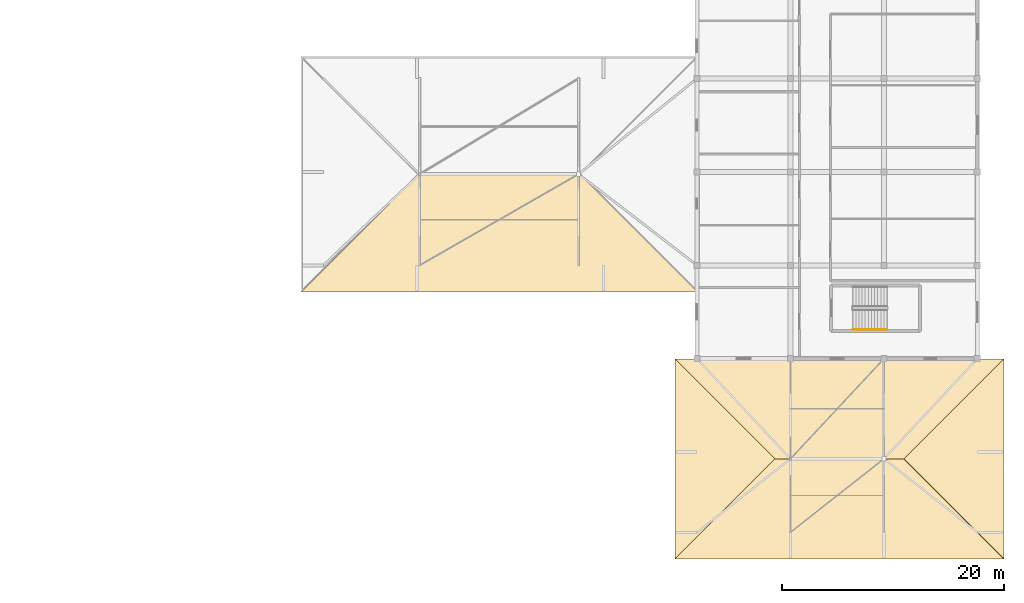
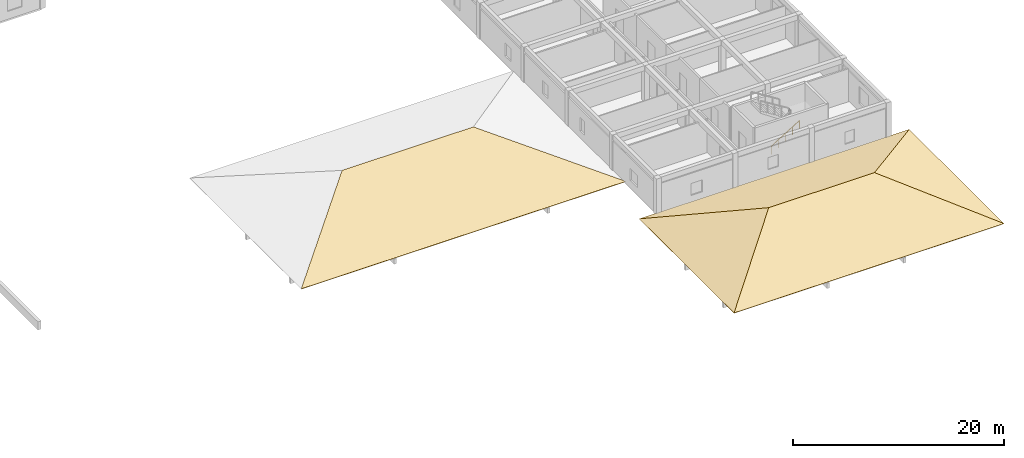
# One storey, part 37 of 42: 5 coverings, 1 railing, 2 elements without a shape of their own.
"""IFC4 building model written with IfcOpenShell, lengths in metres."""

import ifcopenshell
import ifcopenshell.guid

model = None  # the IFC model being written
_history = None  # IfcOwnerHistory: only IFC2X3 demands one
_inside = {}  # id of a spatial element -> (the spatial element, [elements in it])
_under = {}  # id of a project, library or spatial element -> (it, [spatial elements below it])
_declared = {}  # id of a project -> (the project, [libraries it declares])
_typed = {}  # id of a type object -> (the type object, [elements of that type])
_made_of = {}  # id of a material, layer set ... -> (it, [elements and type objects made of it])


def new_model(schema):
    """Start an empty IFC model of exactly this schema.

    Asked for "IFC4X3", IfcOpenShell would pick the latest addendum, in which some entities
    have other attributes; the version numbers below select the first issue.
    IFC2X3 requires an IfcOwnerHistory on every rooted entity: one is made here for all.
    """
    global model, _history
    if schema == "IFC4X3":
        model = ifcopenshell.file(schema_version=(4, 3, 0, 0))
    else:
        model = ifcopenshell.file(schema=schema)
    _inside.clear()
    _under.clear()
    _declared.clear()
    _typed.clear()
    _made_of.clear()
    _history = None
    if model.schema == "IFC2X3":
        org = make("IfcOrganization", Name="unknown")
        user = make(
            "IfcPersonAndOrganization",
            ThePerson=make("IfcPerson", FamilyName="unknown"),
            TheOrganization=org,
        )
        app = make(
            "IfcApplication",
            ApplicationDeveloper=org,
            Version="unknown",
            ApplicationFullName="unknown",
            ApplicationIdentifier="unknown",
        )
        _history = make(
            "IfcOwnerHistory",
            OwningUser=user,
            OwningApplication=app,
            ChangeAction="ADDED",
            CreationDate=0,
        )
    return model


def make(cls, **values):
    """One entity of the class cls with the attributes given. An attribute that is None is left unset."""
    return model.create_entity(
        cls, **{name: value for name, value in values.items() if value is not None}
    )


def rooted(cls, **values):
    """An entity with a GlobalId (a new one), such as an element, a storey or a relation."""
    return make(cls, GlobalId=ifcopenshell.guid.new(), OwnerHistory=_history, **values)


def si_unit(unit_type, name, prefix=None):
    """IfcSIUnit, for example si_unit("LENGTHUNIT", "METRE", prefix="MILLI")."""
    return make("IfcSIUnit", UnitType=unit_type, Prefix=prefix, Name=name)


def assignment(units):
    """IfcUnitAssignment: the units of a project."""
    return None if units is None else make("IfcUnitAssignment", Units=units)


def point(xyz):
    """IfcCartesianPoint."""
    return None if xyz is None else make("IfcCartesianPoint", Coordinates=xyz)


def direction(xyz):
    """IfcDirection."""
    return None if xyz is None else make("IfcDirection", DirectionRatios=xyz)


def frame(location, z_axis=None, x_axis=None):
    """IfcAxis2Placement3D, a coordinate frame: its origin and axes. An axis left out is left unset."""
    return make(
        "IfcAxis2Placement3D",
        Location=point(location),
        Axis=direction(z_axis),
        RefDirection=direction(x_axis),
    )


def frame_2d(location, x_axis=None):
    """IfcAxis2Placement2D, a coordinate frame in the plane: its origin and x axis."""
    return make(
        "IfcAxis2Placement2D", Location=point(location), RefDirection=direction(x_axis)
    )


def origin():
    """The frame at (0, 0, 0) with its axes left unset."""
    return frame((0.0, 0.0, 0.0))


def origin_2d():
    """The frame at (0, 0) in the plane with its x axis left unset."""
    return frame_2d((0.0, 0.0))


def place(relative_to, where):
    """IfcLocalPlacement: puts the frame where relative to a parent placement (None: the world)."""
    return make(
        "IfcLocalPlacement", PlacementRelTo=relative_to, RelativePlacement=where
    )


def context(
    kind, dimensions, precision=None, world=None, true_north=None, identifier=None
):
    """IfcGeometricRepresentationContext, for example the 3D "Model" context."""
    return make(
        "IfcGeometricRepresentationContext",
        ContextIdentifier=identifier,
        ContextType=kind,
        CoordinateSpaceDimension=dimensions,
        Precision=precision,
        WorldCoordinateSystem=world,
        TrueNorth=true_north,
    )


def subcontext(parent, identifier, kind, view, scale=None):
    """IfcGeometricRepresentationSubContext, for example "Body" below "Model"."""
    return make(
        "IfcGeometricRepresentationSubContext",
        ContextIdentifier=identifier,
        ContextType=kind,
        ParentContext=parent,
        TargetScale=scale,
        TargetView=view,
    )


def project(units=None, contexts=None):
    """IfcProject with its units and contexts."""
    return rooted(
        "IfcProject",
        Name="project",
        RepresentationContexts=contexts,
        UnitsInContext=assignment(units),
    )


def spatial(cls, under=None, at=None, **own):
    """A site, building, storey or space (cls), placed at a placement, below another one or the project."""
    s = rooted(cls, ObjectPlacement=at, **own)
    if under is not None:
        _under.setdefault(under.id(), (under, []))[1].append(s)
    return s


def polyline(points):
    """IfcPolyline through the points."""
    return make("IfcPolyline", Points=[point(p) for p in points])


def profile(cls, at=None, kind="AREA", **sizes):
    """A parametric profile (cls). Its sizes go by their IFC names, for example OverallWidth=200.0."""
    return make(cls, ProfileType=kind, Position=at, **sizes)


def circle(**sizes):
    """IfcCircleProfileDef."""
    return profile("IfcCircleProfileDef", **sizes)


def outline(outer, holes=None, kind="AREA"):
    """IfcArbitraryClosedProfileDef: a profile drawn as a closed curve; with holes, ...WithVoids."""
    if holes is None:
        return make("IfcArbitraryClosedProfileDef", ProfileType=kind, OuterCurve=outer)
    return make(
        "IfcArbitraryProfileDefWithVoids",
        ProfileType=kind,
        OuterCurve=outer,
        InnerCurves=holes,
    )


def extrude(swept, where, along, depth):
    """IfcExtrudedAreaSolid: the profile swept, set in the frame where, extruded along a direction by depth."""
    return make(
        "IfcExtrudedAreaSolid",
        SweptArea=swept,
        Position=where,
        ExtrudedDirection=direction(along),
        Depth=depth,
    )


def shape(context_of_items, identifier, shape_type, items):
    """IfcShapeRepresentation: the items that make up one representation, for example the "Body"."""
    return make(
        "IfcShapeRepresentation",
        ContextOfItems=context_of_items,
        RepresentationIdentifier=identifier,
        RepresentationType=shape_type,
        Items=items,
    )


def material(Name=None, Category=None):
    """IfcMaterial."""
    return make("IfcMaterial", Name=Name, Category=Category)


def layer(
    of_material, thickness, ventilated=None, Name=None, Category=None, Priority=None
):
    """IfcMaterialLayer: one layer of a wall or slab, of a material (None: an air gap)."""
    return make(
        "IfcMaterialLayer",
        Material=of_material,
        LayerThickness=thickness,
        IsVentilated=ventilated,
        Name=Name,
        Category=Category,
        Priority=Priority,
    )


def layer_set(layers, Name=None):
    """IfcMaterialLayerSet."""
    return make("IfcMaterialLayerSet", MaterialLayers=layers, LayerSetName=Name)


def made_of(thing, what):
    """Note that an element or type object is made of a material, layer set ...; save() writes the relation."""
    if what is not None:
        _made_of.setdefault(what.id(), (what, []))[1].append(thing)
    return thing


def type_object(cls, material=None, **own):
    """A type object (cls), such as IfcWallType, which elements share."""
    return made_of(rooted(cls, **own), material)


def element(
    cls,
    number,
    at=None,
    inside=None,
    cuts=None,
    type_object=None,
    material=None,
    context=None,
    identifier="Body",
    shape_type=None,
    held_by="IfcProductDefinitionShape",
    body=None,
    shapes=None,
    **own,
):
    """One element of the class cls, such as IfcWall. Its Tag is "e" and its number.

    at: its placement. inside: the storey or other place that contains it. cuts: it is an
    opening in that element (IfcRelVoidsElement). A single representation is given by context,
    identifier, shape_type and body (its items); several are given by shapes. held_by: the class
    of the entity that holds the representations. save() writes the other relations.
    """
    e = rooted(cls, Tag="e%d" % number, ObjectPlacement=at, **own)
    if body is not None:
        shapes = [shape(context, identifier, shape_type, body)]
    if shapes is not None:
        e.Representation = make(held_by, Representations=shapes)
    if inside is not None:
        _inside.setdefault(inside.id(), (inside, []))[1].append(e)
    if cuts is not None:
        rooted(
            "IfcRelVoidsElement", RelatingBuildingElement=cuts, RelatedOpeningElement=e
        )
    if type_object is not None:
        _typed.setdefault(type_object.id(), (type_object, []))[1].append(e)
    return made_of(e, material)


def aggregate(whole, parts):
    """IfcRelAggregates: a whole, such as a stair, and the parts it consists of."""
    return rooted("IfcRelAggregates", RelatingObject=whole, RelatedObjects=parts)


def save(model, path):
    """Write the relations noted so far, then the file.

    IfcRelAggregates (storeys below a building ...), IfcRelContainedInSpatialStructure (elements
    in a storey), IfcRelDefinesByType, IfcRelAssociatesMaterial and IfcRelDeclares: one each for
    every whole, place, type object, material and project.
    """
    for whole, parts in _under.values():
        aggregate(whole, parts)
    for where, things in _inside.values():
        rooted(
            "IfcRelContainedInSpatialStructure",
            RelatedElements=things,
            RelatingStructure=where,
        )
    for kind, things in _typed.values():
        rooted("IfcRelDefinesByType", RelatedObjects=things, RelatingType=kind)
    for what, things in _made_of.values():
        rooted("IfcRelAssociatesMaterial", RelatedObjects=things, RelatingMaterial=what)
    for by, libraries in _declared.values():
        rooted("IfcRelDeclares", RelatingContext=by, RelatedDefinitions=libraries)
    model.write(path)


model = new_model("IFC4")

# Units and contexts
model_context = context("Model", 3, precision=1e-05, world=origin(), true_north=direction((0.0, 1.0)))
body_context = subcontext(model_context, "Body", "Model", "MODEL_VIEW")
ifc_project = project(units=[si_unit("LENGTHUNIT", "METRE"), si_unit("AREAUNIT", "SQUARE_METRE"), si_unit("VOLUMEUNIT", "CUBIC_METRE"), si_unit("PLANEANGLEUNIT", "RADIAN"), si_unit("MASSUNIT", "GRAM", prefix="KILO")], contexts=[model_context])

# Site, building, storey
site_placement = place(None, origin())
site = spatial("IfcSite", under=ifc_project, at=site_placement, CompositionType="ELEMENT")
building_placement = place(site_placement, origin())
building = spatial("IfcBuilding", under=site, at=building_placement, Name="Varncliffe General Hospital", CompositionType="ELEMENT")
storey_placement = place(building_placement, frame((0.0, 0.0, 20.39990234375)))
storey = spatial("IfcBuildingStorey", under=building, at=storey_placement, Name="L04", CompositionType="ELEMENT", Elevation=20.39990234375)

# Railing
ifc_material_1 = material(Name="Powder-coated hospital steel guardrail and handrail", Category="steel")
railing_type = type_object("IfcRailingType", Name="Stair and Ramp Handrail HR46", PredefinedType="HANDRAIL", material=ifc_material_1)
railing_placement = place(storey_placement, frame((165.199951171875, 18.25, 0.35400390625)))
element("IfcRailing", 1, at=railing_placement, inside=storey, type_object=railing_type, Name="L04 ST11 stair handrail 1", PredefinedType="HANDRAIL", context=body_context, shape_type="SweptSolid", body=[
    extrude(circle(Radius=0.02392578125, at=origin_2d()), frame((0.0, 0.0, 0.8759765625), z_axis=(0.847998304005, 0.0, 0.529998940003), x_axis=(0.0, 1.0, 0.0)), (0.0, 0.0, 1.0), 3.632080078125),
    extrude(circle(Radius=0.02099609375, at=origin_2d()), origin(), (0.0, 0.0, 1.0), 0.851806640625),
    extrude(circle(Radius=0.02099609375, at=origin_2d()), frame((0.77001953125, 0.0, 0.481201171875)), (0.0, 0.0, 1.0), 0.851806640625),
    extrude(circle(Radius=0.02099609375, at=origin_2d()), frame((1.5400390625, 0.0, 0.96240234375)), (0.0, 0.0, 1.0), 0.851806640625),
    extrude(circle(Radius=0.02099609375, at=origin_2d()), frame((2.31005859375, 0.0, 1.44384765625)), (0.0, 0.0, 1.0), 0.851806640625),
    extrude(circle(Radius=0.02099609375, at=origin_2d()), frame((3.080078125, 0.0, 1.925048828125)), (0.0, 0.0, 1.0), 0.851806640625),
])

# Roof, covering
ifc_material_2 = material(Name="Terracotta clay roof tile over waterproof membrane", Category="masonry")
roof_type = type_object("IfcRoofType", Name="Hipped Clay-Tile Roof Assembly HR20", PredefinedType="HIP_ROOF", material=ifc_material_2)
roof_1_placement = place(storey_placement, origin())
roof_1 = element("IfcRoof", 2, at=roof_1_placement, inside=storey, type_object=roof_type, Name="L04 Hipped Roof RF-V5-S", PredefinedType="HIP_ROOF")
ifc_layer = layer(ifc_material_2, 0.044921875)
ifc_layer_set = layer_set([ifc_layer], Name="Terracotta clay roof tile over waterproof membrane")
covering_type = type_object("IfcCoveringType", Name="Terracotta Clay Tile Roofing RFG24", PredefinedType="ROOFING", material=ifc_layer_set)
covering_1_placement = place(storey_placement, frame((115.60009765625, 21.60009765625, 0.045166015625), z_axis=(0.0, -0.321574678664, 0.946884219977), x_axis=(1.0, 0.0, 0.0)))
covering_1 = element("IfcCovering", 3, at=covering_1_placement, type_object=covering_type, Name="L04 RF-V5-S Terracotta Clay Tile Slope S", PredefinedType="ROOFING", context=body_context, shape_type="SweptSolid", body=[
    extrude(outline(polyline([(0.0, 0.0), (35.599853515625, 0.0), (25.0, 11.194455765541502), (10.599853515625, 11.194455765541502), (0.0, 0.0)])), origin(), (0.0, 0.0, -1.0), 0.044921875),
])
aggregate(roof_1, [covering_1])

# Roof, coverings
roof_2_placement = place(storey_placement, origin())
roof_2 = element("IfcRoof", 4, at=roof_2_placement, inside=storey, type_object=roof_type, Name="L04 Hipped Roof RF-V5-SE", PredefinedType="HIP_ROOF")
covering_2_placement = place(storey_placement, frame((149.199951171875, -2.39990234375, 0.045166015625), z_axis=(0.0, -0.371377648723, 0.928481901832), x_axis=(1.0, 0.0, 0.0)))
covering_2 = element("IfcCovering", 5, at=covering_2_placement, type_object=covering_type, Name="L04 RF-V5-SE Terracotta Clay Tile Slope S", PredefinedType="ROOFING", context=body_context, shape_type="SweptSolid", body=[
    extrude(outline(polyline([(0.0, 0.0), (29.60009765625, 0.0), (20.60009765625, 9.69324225086517), (9.0, 9.69324225086517), (0.0, 0.0)])), origin(), (0.0, 0.0, -1.0), 0.044921875),
])
covering_3_placement = place(storey_placement, frame((178.800048828125, 15.60009765625, 0.045166015625), z_axis=(0.0, 0.371377648723, 0.928481901832), x_axis=(-1.0, 0.0, 0.0)))
covering_3 = element("IfcCovering", 6, at=covering_3_placement, type_object=covering_type, Name="L04 RF-V5-SE Terracotta Clay Tile Slope N", PredefinedType="ROOFING", context=body_context, shape_type="SweptSolid", body=[
    extrude(outline(polyline([(0.0, 0.0), (29.60009765625, 0.0), (20.60009765625, 9.69324225086517), (9.0, 9.69324225086517), (0.0, 0.0)])), origin(), (0.0, 0.0, -1.0), 0.044921875),
])
covering_4_placement = place(storey_placement, frame((149.199951171875, 15.60009765625, 0.045166015625), z_axis=(-0.371377648723, 0.0, 0.928481901832), x_axis=(0.0, -1.0, 0.0)))
covering_4 = element("IfcCovering", 7, at=covering_4_placement, type_object=covering_type, Name="L04 RF-V5-SE Terracotta Clay Tile Slope W", PredefinedType="ROOFING", context=body_context, shape_type="SweptSolid", body=[
    extrude(outline(polyline([(0.0, 0.0), (18.0, 0.0), (9.0, 9.69324225086517), (0.0, 0.0)])), origin(), (0.0, 0.0, -1.0), 0.044921875),
])
covering_5_placement = place(storey_placement, frame((178.800048828125, -2.39990234375, 0.045166015625), z_axis=(0.371377648723, 0.0, 0.928481901832), x_axis=(0.0, 1.0, 0.0)))
covering_5 = element("IfcCovering", 8, at=covering_5_placement, type_object=covering_type, Name="L04 RF-V5-SE Terracotta Clay Tile Slope E", PredefinedType="ROOFING", context=body_context, shape_type="SweptSolid", body=[
    extrude(outline(polyline([(0.0, 0.0), (18.0, 0.0), (9.0, 9.69324225086517), (0.0, 0.0)])), origin(), (0.0, 0.0, -1.0), 0.044921875),
])
aggregate(roof_2, [covering_2, covering_3, covering_4, covering_5])

save(model, "model.ifc")
